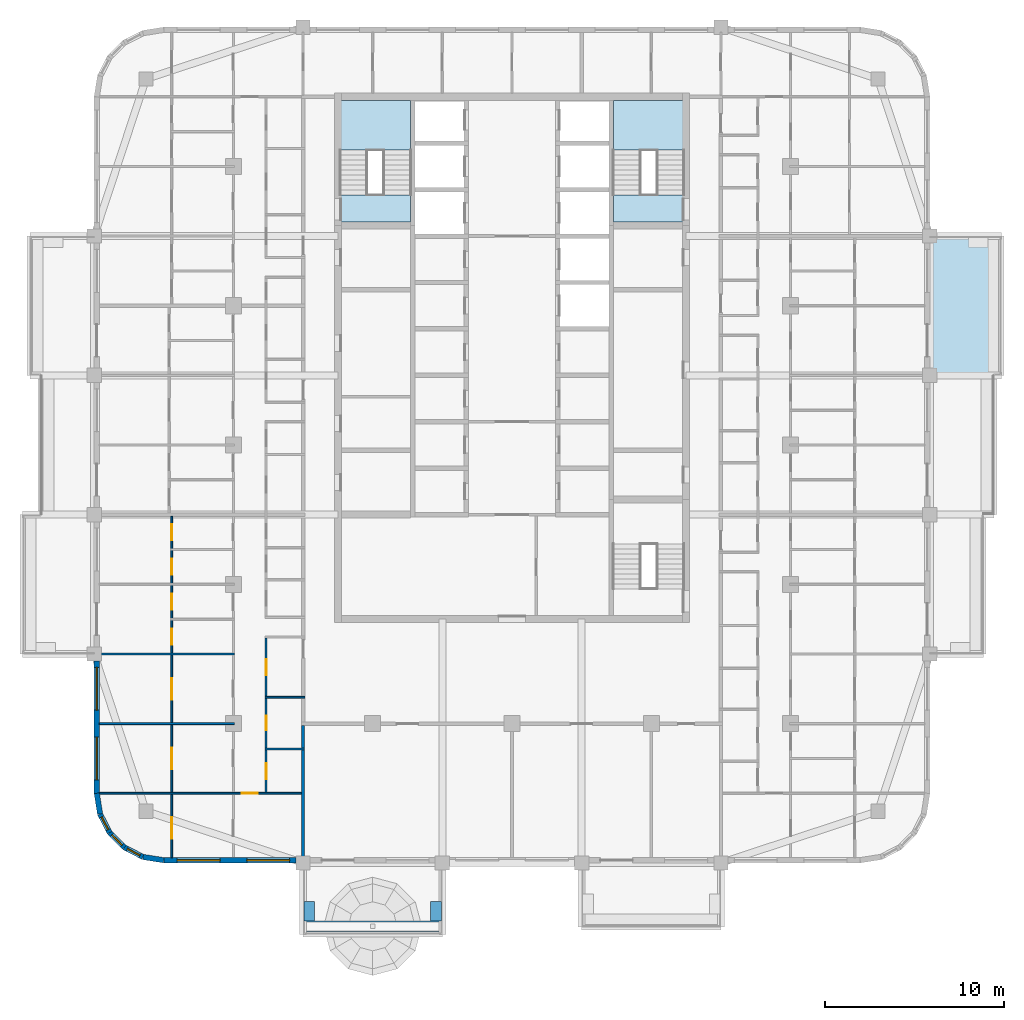
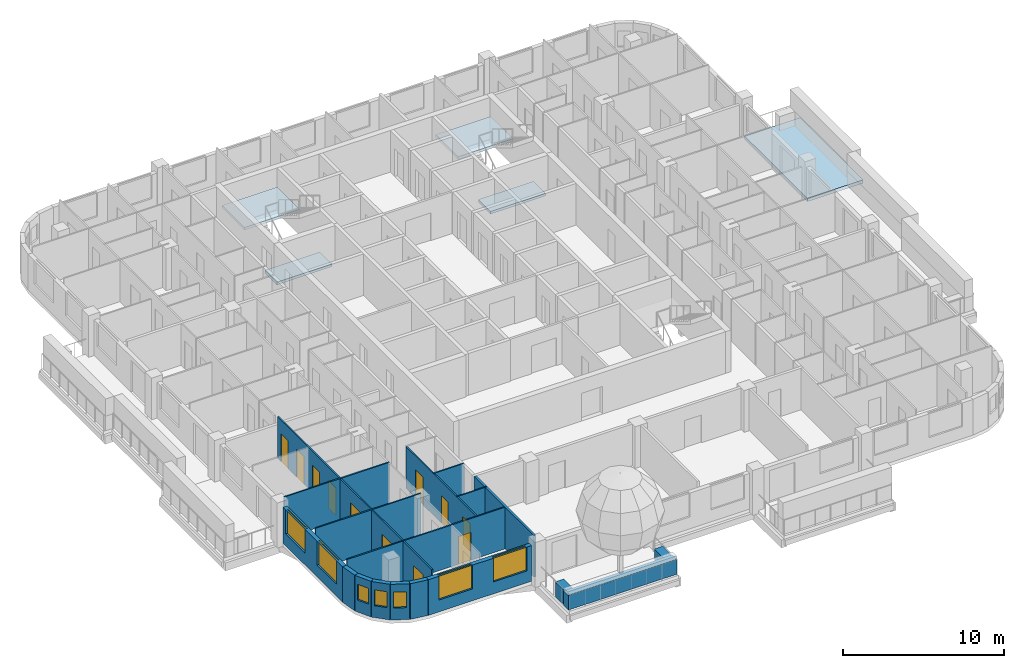
# One storey, part 2 of 17: 18 walls, 11 doors, 7 windows, 5 slabs, 18 openings, 2 elements without a shape of their own.
"""IFC4 building model written with IfcOpenShell, lengths in metres."""

from ifc_helpers import new_model, si_unit, direction, frame, frame_2d, origin, place, context, subcontext, project, spatial, polyline, rectangle, outline, extrude, material, layer, layer_set, type_object, element, fill, aggregate, save


model = new_model("IFC4")

# Units and contexts
model_context = context("Model", 3, precision=1e-05, world=origin(), true_north=direction((0.0, 1.0)))
body_context = subcontext(model_context, "Body", "Model", "MODEL_VIEW")
ifc_project = project(units=[si_unit("LENGTHUNIT", "METRE"), si_unit("AREAUNIT", "SQUARE_METRE"), si_unit("VOLUMEUNIT", "CUBIC_METRE"), si_unit("PLANEANGLEUNIT", "RADIAN"), si_unit("MASSUNIT", "GRAM", prefix="KILO")], contexts=[model_context])

# Site, building, storey
site_placement = place(None, origin())
site = spatial("IfcSite", under=ifc_project, at=site_placement, CompositionType="ELEMENT")
building_placement = place(site_placement, origin())
building = spatial("IfcBuilding", under=site, at=building_placement, Name="Ludao Terraces", CompositionType="ELEMENT")
storey_placement = place(building_placement, frame((0.0, 0.0, 231.300048828125)))
storey = spatial("IfcBuildingStorey", under=building, at=storey_placement, Name="L63", CompositionType="ELEMENT", Elevation=231.300048828125)

# Slab
ifc_material_1 = material(Name="Concrete C40", Category="concrete")
ifc_layer_1 = layer(ifc_material_1, 0.25)
ifc_layer_set_1 = layer_set([ifc_layer_1], Name="Balcony slab 250 C40")
slab_type_1 = type_object("IfcSlabType", Name="Balcony slab 250 C40", PredefinedType="USERDEFINED", material=ifc_layer_set_1)
slab_1_placement = place(storey_placement, frame((0.0, 0.0, -0.25)))
element("IfcSlab", 1, at=slab_1_placement, inside=storey, type_object=slab_type_1, Name="Balcony L63 E3", ObjectType="BALCONY", PredefinedType="USERDEFINED", context=body_context, shape_type="SweptSolid", body=[
    extrude(outline(polyline([(108.39990234375, 68.89990234375), (112.39990234375, 68.89990234375), (112.39990234375, 76.699951171875), (108.39990234375, 76.699951171875), (108.39990234375, 68.89990234375)])), origin(), (0.0, 0.0, 1.0), 0.25),
])

# Stair, slabs
stair_type = type_object("IfcStairType", Name="INT Stair", PredefinedType="HALF_TURN_STAIR", material=ifc_material_1)
stair_1_placement = place(storey_placement, origin())
stair_1 = element("IfcStair", 2, at=stair_1_placement, inside=storey, type_object=stair_type, Name="EXIT STAIR 1", PredefinedType="HALF_TURN_STAIR")
ifc_layer_2 = layer(ifc_material_1, 0.199951171875)
ifc_layer_set_2 = layer_set([ifc_layer_2], Name="INT Stair landing 200")
slab_type_2 = type_object("IfcSlabType", Name="INT Stair landing 200", PredefinedType="LANDING", material=ifc_layer_set_2)
slab_2_placement = place(storey_placement, frame((0.0, 0.0, 1.5)))
slab_2 = element("IfcSlab", 3, at=slab_2_placement, type_object=slab_type_2, Name="ST1 landing 1", PredefinedType="LANDING", context=body_context, shape_type="SweptSolid", body=[
    extrude(outline(polyline([(75.375, 81.52001953125), (79.324951171875, 81.52001953125), (79.324951171875, 84.300048828125), (75.375, 84.300048828125), (75.375, 81.52001953125)])), origin(), (0.0, 0.0, 1.0), 0.199951171875),
])
slab_3_placement = place(storey_placement, frame((0.0, 0.0, -0.199951171875)))
slab_3 = element("IfcSlab", 4, at=slab_3_placement, type_object=slab_type_2, Name="ST1 landing 2", PredefinedType="LANDING", context=body_context, shape_type="SweptSolid", body=[
    extrude(outline(polyline([(75.375, 77.5), (79.324951171875, 77.5), (79.324951171875, 79.0), (75.375, 79.0), (75.375, 77.5)])), origin(), (0.0, 0.0, 1.0), 0.199951171875),
])
aggregate(stair_1, [slab_2, slab_3])

stair_2_placement = place(storey_placement, origin())
stair_2 = element("IfcStair", 5, at=stair_2_placement, inside=storey, type_object=stair_type, Name="EXIT STAIR 2", PredefinedType="HALF_TURN_STAIR")
slab_4_placement = place(storey_placement, frame((0.0, 0.0, 1.5)))
slab_4 = element("IfcSlab", 6, at=slab_4_placement, type_object=slab_type_2, Name="ST2 landing 1", PredefinedType="LANDING", context=body_context, shape_type="SweptSolid", body=[
    extrude(outline(polyline([(90.675048828125, 81.52001953125), (94.625, 81.52001953125), (94.625, 84.300048828125), (90.675048828125, 84.300048828125), (90.675048828125, 81.52001953125)])), origin(), (0.0, 0.0, 1.0), 0.199951171875),
])
slab_5_placement = place(storey_placement, frame((0.0, 0.0, -0.199951171875)))
slab_5 = element("IfcSlab", 7, at=slab_5_placement, type_object=slab_type_2, Name="ST2 landing 2", PredefinedType="LANDING", context=body_context, shape_type="SweptSolid", body=[
    extrude(outline(polyline([(90.675048828125, 77.5), (94.625, 77.5), (94.625, 79.0), (90.675048828125, 79.0), (90.675048828125, 77.5)])), origin(), (0.0, 0.0, 1.0), 0.199951171875),
])
aggregate(stair_2, [slab_4, slab_5])

# Walls
ifc_layer_3 = layer(ifc_material_1, 0.60009765625)
ifc_layer_set_3 = layer_set([ifc_layer_3], Name="ENV Planter trough 600")
wall_type_1 = type_object("IfcWallType", Name="ENV Planter trough 600", PredefinedType="USERDEFINED", material=ifc_layer_set_3)
wall_1_placement = place(storey_placement, frame((73.300048828125, 38.050048828125, 0.0), z_axis=(0.0, 0.0, 1.0), x_axis=(1.0, 0.0, 0.0)))
element("IfcWall", 8, at=wall_1_placement, inside=storey, type_object=wall_type_1, Name="PL-L63-S1", ObjectType="PLANTER", PredefinedType="USERDEFINED", context=body_context, shape_type="SweptSolid", body=[
    extrude(rectangle(XDim=7.800048828125, YDim=0.60009765625, at=frame_2d((3.89990234375, 0.0))), origin(), (0.0, 0.0, 1.0), 1.099853515625),
])
for number, where, z_axis, x_axis, name in (
    (9, (73.64990234375, 38.35009765625, 0.0), (0.0, 0.0, 1.0), (0.0, 1.0, 0.0), "PL-L63-S1-SA"),
    (10, (80.75, 38.35009765625, 0.0), (0.0, 0.0, 1.0), (0.0, 1.0, 0.0), "PL-L63-S1-SB"),
):
    element("IfcWall", number, at=place(storey_placement, frame(where, z_axis=z_axis, x_axis=x_axis)), inside=storey, type_object=wall_type_1, Name=name, ObjectType="PLANTER", PredefinedType="USERDEFINED", context=body_context, shape_type="SweptSolid", body=[
        extrude(rectangle(XDim=1.099853515625, YDim=0.60009765625, at=frame_2d((0.5498046875, 0.0))), origin(), (0.0, 0.0, 1.0), 1.099853515625),
    ])

# Wall, openings, windows
ifc_material_2 = material(Name="Granite cladding", Category="masonry")
ifc_layer_4 = layer(ifc_material_2, 0.0400390625, Category="stone")
ifc_material_3 = material(Name="Mineral wool")
ifc_layer_5 = layer(ifc_material_3, 0.06005859375)
ifc_layer_6 = layer(ifc_material_1, 0.199951171875, Category="concrete")
ifc_layer_set_4 = layer_set([ifc_layer_4, ifc_layer_5, ifc_layer_6], Name="ENV Stone-clad wall 300")
wall_type_2 = type_object("IfcWallType", Name="ENV Stone-clad wall 300", PredefinedType="SOLIDWALL", material=ifc_layer_set_4)
wall_2_placement = place(storey_placement, frame((65.5, 41.75, 0.0), z_axis=(0.0, 0.0, 1.0), x_axis=(1.0, 0.0, 0.0)))
wall_2 = element("IfcWall", 11, at=wall_2_placement, inside=storey, type_object=wall_type_2, Name="EW-L63-S1", PredefinedType="SOLIDWALL", context=body_context, shape_type="SweptSolid", body=[
    extrude(rectangle(XDim=7.39990234375, YDim=0.300048828125, at=frame_2d((3.699951171875, 0.0))), origin(), (0.0, 0.0, 1.0), 2.699951171875),
])
opening_1_placement = place(wall_2_placement, frame((0.75, 0.0, 0.89990234375)))
opening_1 = element("IfcOpeningElement", 12, at=opening_1_placement, cuts=wall_2, Name="Opening W1", PredefinedType="OPENING", context=body_context, shape_type="SweptSolid", body=[
    extrude(rectangle(XDim=2.39990234375, YDim=1.800048828125, at=frame_2d((1.199951171875, 0.89990234375))), frame((0.0, 0.16015625, 0.0), z_axis=(0.0, -1.0, 0.0), x_axis=(1.0, 0.0, 0.0)), (0.0, 0.0, 1.0), 0.320068359375),
])
opening_2_placement = place(wall_2_placement, frame((4.64990234375, 0.0, 0.89990234375)))
opening_2 = element("IfcOpeningElement", 13, at=opening_2_placement, cuts=wall_2, Name="Opening W1", PredefinedType="OPENING", context=body_context, shape_type="SweptSolid", body=[
    extrude(rectangle(XDim=2.39990234375, YDim=1.800048828125, at=frame_2d((1.199951171875, 0.89990234375))), frame((0.0, 0.16015625, 0.0), z_axis=(0.0, -1.0, 0.0), x_axis=(1.0, 0.0, 0.0)), (0.0, 0.0, 1.0), 0.320068359375),
])
ifc_material_4 = material(Name="Clear glass in aluminium frame", Category="aluminium")
ifc_layer_7 = layer(ifc_material_4, 0.06005859375)
ifc_layer_set_5 = layer_set([ifc_layer_7], Name="ENV Window W1 2400x1800")
window_type_1 = type_object("IfcWindowType", Name="ENV Window W1 2400x1800", PartitioningType="DOUBLE_PANEL_VERTICAL", PredefinedType="WINDOW", material=ifc_layer_set_5)
window_1_placement = place(opening_1_placement, origin())
window_1 = element("IfcWindow", 14, at=window_1_placement, inside=storey, type_object=window_type_1, Name="W-L63-S1-1", OverallHeight=1.800048828125, OverallWidth=2.39990234375, PartitioningType="DOUBLE_PANEL_VERTICAL", PredefinedType="WINDOW", context=body_context, shape_type="SweptSolid", body=[
    extrude(rectangle(XDim=2.39990234375, YDim=1.800048828125, at=frame_2d((1.199951171875, 0.89990234375))), frame((0.0, 0.030029296875, 0.0), z_axis=(0.0, -1.0, 0.0), x_axis=(1.0, 0.0, 0.0)), (0.0, 0.0, 1.0), 0.06005859375),
])
fill(opening_1, window_1)
window_2_placement = place(opening_2_placement, origin())
window_2 = element("IfcWindow", 15, at=window_2_placement, inside=storey, type_object=window_type_1, Name="W-L63-S1-2", OverallHeight=1.800048828125, OverallWidth=2.39990234375, PartitioningType="DOUBLE_PANEL_VERTICAL", PredefinedType="WINDOW", context=body_context, shape_type="SweptSolid", body=[
    extrude(rectangle(XDim=2.39990234375, YDim=1.800048828125, at=frame_2d((1.199951171875, 0.89990234375))), frame((0.0, 0.030029296875, 0.0), z_axis=(0.0, -1.0, 0.0), x_axis=(1.0, 0.0, 0.0)), (0.0, 0.0, 1.0), 0.06005859375),
])
fill(opening_2, window_2)

wall_3_placement = place(storey_placement, frame((61.75, 45.5, 0.0), z_axis=(0.0, 0.0, 1.0), x_axis=(0.0, 1.0, 0.0)))
wall_3 = element("IfcWall", 16, at=wall_3_placement, inside=storey, type_object=wall_type_2, Name="EW-L63-W1", PredefinedType="SOLIDWALL", context=body_context, shape_type="SweptSolid", body=[
    extrude(rectangle(XDim=7.39990234375, YDim=0.300048828125, at=frame_2d((3.699951171875, 0.0))), origin(), (0.0, 0.0, 1.0), 2.699951171875),
])
opening_3_placement = place(wall_3_placement, frame((0.75, 0.0, 0.89990234375)))
opening_3 = element("IfcOpeningElement", 17, at=opening_3_placement, cuts=wall_3, Name="Opening W1", PredefinedType="OPENING", context=body_context, shape_type="SweptSolid", body=[
    extrude(rectangle(XDim=2.39990234375, YDim=1.800048828125, at=frame_2d((1.199951171875, 0.89990234375))), frame((0.0, 0.16015625, 0.0), z_axis=(0.0, -1.0, 0.0), x_axis=(1.0, 0.0, 0.0)), (0.0, 0.0, 1.0), 0.320068359375),
])
opening_4_placement = place(wall_3_placement, frame((4.64990234375, 0.0, 0.89990234375)))
opening_4 = element("IfcOpeningElement", 18, at=opening_4_placement, cuts=wall_3, Name="Opening W1", PredefinedType="OPENING", context=body_context, shape_type="SweptSolid", body=[
    extrude(rectangle(XDim=2.39990234375, YDim=1.800048828125, at=frame_2d((1.199951171875, 0.89990234375))), frame((0.0, 0.16015625, 0.0), z_axis=(0.0, -1.0, 0.0), x_axis=(1.0, 0.0, 0.0)), (0.0, 0.0, 1.0), 0.320068359375),
])
window_3_placement = place(opening_3_placement, origin())
window_3 = element("IfcWindow", 19, at=window_3_placement, inside=storey, type_object=window_type_1, Name="W-L63-W1-1", OverallHeight=1.800048828125, OverallWidth=2.39990234375, PartitioningType="DOUBLE_PANEL_VERTICAL", PredefinedType="WINDOW", context=body_context, shape_type="SweptSolid", body=[
    extrude(rectangle(XDim=2.39990234375, YDim=1.800048828125, at=frame_2d((1.199951171875, 0.89990234375))), frame((0.0, 0.030029296875, 0.0), z_axis=(0.0, -1.0, 0.0), x_axis=(1.0, 0.0, 0.0)), (0.0, 0.0, 1.0), 0.06005859375),
])
fill(opening_3, window_3)
window_4_placement = place(opening_4_placement, origin())
window_4 = element("IfcWindow", 20, at=window_4_placement, inside=storey, type_object=window_type_1, Name="W-L63-W1-2", OverallHeight=1.800048828125, OverallWidth=2.39990234375, PartitioningType="DOUBLE_PANEL_VERTICAL", PredefinedType="WINDOW", context=body_context, shape_type="SweptSolid", body=[
    extrude(rectangle(XDim=2.39990234375, YDim=1.800048828125, at=frame_2d((1.199951171875, 0.89990234375))), frame((0.0, 0.030029296875, 0.0), z_axis=(0.0, -1.0, 0.0), x_axis=(1.0, 0.0, 0.0)), (0.0, 0.0, 1.0), 0.06005859375),
])
fill(opening_4, window_4)

# Wall
wall_4_placement = place(storey_placement, frame((61.75, 45.5, 0.0), z_axis=(0.0, 0.0, 1.0), x_axis=(0.156496880861, -0.987678452879, 0.0)))
element("IfcWall", 21, at=wall_4_placement, inside=storey, type_object=wall_type_2, Name="EW-L63-SW1", PredefinedType="SOLIDWALL", context=body_context, shape_type="SweptSolid", body=[
    extrude(rectangle(XDim=1.173095703125, YDim=0.300048828125, at=frame_2d((0.58642578125, 0.0))), origin(), (0.0, 0.0, 1.0), 2.699951171875),
])

# Wall, opening, window
wall_5_placement = place(storey_placement, frame((61.93359375, 44.34130859375, 0.0), z_axis=(0.0, 0.0, 1.0), x_axis=(0.454025524128, -0.890988677504, 0.0)))
wall_5 = element("IfcWall", 22, at=wall_5_placement, inside=storey, type_object=wall_type_2, Name="EW-L63-SW2", PredefinedType="SOLIDWALL", context=body_context, shape_type="SweptSolid", body=[
    extrude(rectangle(XDim=1.17333984375, YDim=0.300048828125, at=frame_2d((0.586669921875, 0.0))), origin(), (0.0, 0.0, 1.0), 2.699951171875),
])
opening_5_placement = place(wall_5_placement, frame((0.1865234375, 0.0, 0.89990234375)))
opening_5 = element("IfcOpeningElement", 23, at=opening_5_placement, cuts=wall_5, Name="Opening W3", PredefinedType="OPENING", context=body_context, shape_type="SweptSolid", body=[
    extrude(rectangle(XDim=0.800048828125, YDim=1.199951171875, at=frame_2d((0.39990234375, 0.60009765625))), frame((0.0, 0.16015625, 0.0), z_axis=(0.0, -1.0, 0.0), x_axis=(1.0, 0.0, 0.0)), (0.0, 0.0, 1.0), 0.320068359375),
])
ifc_layer_8 = layer(ifc_material_4, 0.06005859375)
ifc_layer_set_6 = layer_set([ifc_layer_8], Name="ENV Window W3 800x1200")
window_type_2 = type_object("IfcWindowType", Name="ENV Window W3 800x1200", PartitioningType="SINGLE_PANEL", PredefinedType="WINDOW", material=ifc_layer_set_6)
window_5_placement = place(opening_5_placement, origin())
window_5 = element("IfcWindow", 24, at=window_5_placement, inside=storey, type_object=window_type_2, Name="W-L63-SW2", OverallHeight=1.199951171875, OverallWidth=0.800048828125, PartitioningType="SINGLE_PANEL", PredefinedType="WINDOW", context=body_context, shape_type="SweptSolid", body=[
    extrude(rectangle(XDim=0.800048828125, YDim=1.199951171875, at=frame_2d((0.39990234375, 0.60009765625))), frame((0.0, 0.030029296875, 0.0), z_axis=(0.0, -1.0, 0.0), x_axis=(1.0, 0.0, 0.0)), (0.0, 0.0, 1.0), 0.06005859375),
])
fill(opening_5, window_5)

wall_6_placement = place(storey_placement, frame((62.46630859375, 43.2958984375, 0.0), z_axis=(0.0, 0.0, 1.0), x_axis=(0.707106781187, -0.707106781187, 0.0)))
wall_6 = element("IfcWall", 25, at=wall_6_placement, inside=storey, type_object=wall_type_2, Name="EW-L63-SW3", PredefinedType="SOLIDWALL", context=body_context, shape_type="SweptSolid", body=[
    extrude(rectangle(XDim=1.173095703125, YDim=0.300048828125, at=frame_2d((0.58642578125, 0.0))), origin(), (0.0, 0.0, 1.0), 2.699951171875),
])
opening_6_placement = place(wall_6_placement, frame((0.1865234375, 0.0, 0.89990234375)))
opening_6 = element("IfcOpeningElement", 26, at=opening_6_placement, cuts=wall_6, Name="Opening W3", PredefinedType="OPENING", context=body_context, shape_type="SweptSolid", body=[
    extrude(rectangle(XDim=0.800048828125, YDim=1.199951171875, at=frame_2d((0.39990234375, 0.60009765625))), frame((0.0, 0.16015625, 0.0), z_axis=(0.0, -1.0, 0.0), x_axis=(1.0, 0.0, 0.0)), (0.0, 0.0, 1.0), 0.320068359375),
])
window_6_placement = place(opening_6_placement, origin())
window_6 = element("IfcWindow", 27, at=window_6_placement, inside=storey, type_object=window_type_2, Name="W-L63-SW3", OverallHeight=1.199951171875, OverallWidth=0.800048828125, PartitioningType="SINGLE_PANEL", PredefinedType="WINDOW", context=body_context, shape_type="SweptSolid", body=[
    extrude(rectangle(XDim=0.800048828125, YDim=1.199951171875, at=frame_2d((0.39990234375, 0.60009765625))), frame((0.0, 0.030029296875, 0.0), z_axis=(0.0, -1.0, 0.0), x_axis=(1.0, 0.0, 0.0)), (0.0, 0.0, 1.0), 0.06005859375),
])
fill(opening_6, window_6)

wall_7_placement = place(storey_placement, frame((63.2958984375, 42.46630859375, 0.0), z_axis=(0.0, 0.0, 1.0), x_axis=(0.890988677504, -0.454025524128, 0.0)))
wall_7 = element("IfcWall", 28, at=wall_7_placement, inside=storey, type_object=wall_type_2, Name="EW-L63-SW4", PredefinedType="SOLIDWALL", context=body_context, shape_type="SweptSolid", body=[
    extrude(rectangle(XDim=1.17333984375, YDim=0.300048828125, at=frame_2d((0.586669921875, 0.0))), origin(), (0.0, 0.0, 1.0), 2.699951171875),
])
opening_7_placement = place(wall_7_placement, frame((0.1865234375, 0.0, 0.89990234375)))
opening_7 = element("IfcOpeningElement", 29, at=opening_7_placement, cuts=wall_7, Name="Opening W3", PredefinedType="OPENING", context=body_context, shape_type="SweptSolid", body=[
    extrude(rectangle(XDim=0.800048828125, YDim=1.199951171875, at=frame_2d((0.39990234375, 0.60009765625))), frame((0.0, 0.16015625, 0.0), z_axis=(0.0, -1.0, 0.0), x_axis=(1.0, 0.0, 0.0)), (0.0, 0.0, 1.0), 0.320068359375),
])
window_7_placement = place(opening_7_placement, origin())
window_7 = element("IfcWindow", 30, at=window_7_placement, inside=storey, type_object=window_type_2, Name="W-L63-SW4", OverallHeight=1.199951171875, OverallWidth=0.800048828125, PartitioningType="SINGLE_PANEL", PredefinedType="WINDOW", context=body_context, shape_type="SweptSolid", body=[
    extrude(rectangle(XDim=0.800048828125, YDim=1.199951171875, at=frame_2d((0.39990234375, 0.60009765625))), frame((0.0, 0.030029296875, 0.0), z_axis=(0.0, -1.0, 0.0), x_axis=(1.0, 0.0, 0.0)), (0.0, 0.0, 1.0), 0.06005859375),
])
fill(opening_7, window_7)

# Wall
wall_8_placement = place(storey_placement, frame((64.34130859375, 41.93359375, 0.0), z_axis=(0.0, 0.0, 1.0), x_axis=(0.987678452879, -0.156496880861, 0.0)))
element("IfcWall", 31, at=wall_8_placement, inside=storey, type_object=wall_type_2, Name="EW-L63-SW5", PredefinedType="SOLIDWALL", context=body_context, shape_type="SweptSolid", body=[
    extrude(rectangle(XDim=1.173095703125, YDim=0.300048828125, at=frame_2d((0.58642578125, 0.0))), origin(), (0.0, 0.0, 1.0), 2.699951171875),
])

# Wall, opening, door
ifc_material_5 = material(Name="Gypsum plasterboard", Category="gypsum")
ifc_layer_9 = layer(ifc_material_5, 0.012451171875, Category="gypsum")
ifc_layer_10 = layer(ifc_material_3, 0.06005859375, Name="insulation")
ifc_material_6 = material(Name="Steel Q235", Category="steel")
ifc_layer_11 = layer(ifc_material_6, 0.014892578125, Name="stud")
ifc_layer_12 = layer(ifc_material_5, 0.012451171875, Category="gypsum")
ifc_layer_set_7 = layer_set([ifc_layer_9, ifc_layer_10, ifc_layer_11, ifc_layer_12], Name="INT Partition 100")
wall_type_3 = type_object("IfcWallType", Name="INT Partition 100", PredefinedType="PARTITIONING", material=ifc_layer_set_7)
wall_9_placement = place(storey_placement, frame((61.900146484375, 45.5, 0.0), z_axis=(0.0, 0.0, 1.0), x_axis=(1.0, 0.0, 0.0)))
wall_9 = element("IfcWall", 32, at=wall_9_placement, inside=storey, type_object=wall_type_3, Name="PW-L63-PW000", PredefinedType="PARTITIONING", context=body_context, shape_type="SweptSolid", body=[
    extrude(rectangle(XDim=11.474853515625, YDim=0.10009765625, at=frame_2d((5.7373046875, 0.0))), origin(), (0.0, 0.0, 1.0), 3.14990234375),
])
opening_8_placement = place(wall_9_placement, frame((7.965087890625, 0.0, 0.0)))
opening_8 = element("IfcOpeningElement", 33, at=opening_8_placement, cuts=wall_9, Name="Opening R22-005", PredefinedType="OPENING", context=body_context, shape_type="SweptSolid", body=[
    extrude(rectangle(XDim=0.89990234375, YDim=2.10009765625, at=frame_2d((0.449951171875, 1.050048828125))), frame((0.0, 0.06005859375, 0.0), z_axis=(0.0, -1.0, 0.0), x_axis=(1.0, 0.0, 0.0)), (0.0, 0.0, 1.0), 0.1201171875),
])
ifc_material_7 = material(Name="Timber door leaf", Category="wood")
door_type_1 = type_object("IfcDoorType", Name="INT Room door 900", OperationType="SINGLE_SWING_LEFT", PredefinedType="DOOR", material=ifc_material_7)
door_1_placement = place(opening_8_placement, origin())
door_1 = element("IfcDoor", 34, at=door_1_placement, inside=storey, type_object=door_type_1, Name="DOOR 005", OperationType="SINGLE_SWING_RIGHT", OverallHeight=2.10009765625, OverallWidth=0.89990234375, PredefinedType="DOOR", context=body_context, shape_type="SweptSolid", body=[
    extrude(rectangle(XDim=0.89990234375, YDim=2.10009765625, at=frame_2d((0.449951171875, 1.050048828125))), frame((0.0, 0.02490234375, 0.0), z_axis=(0.0, -1.0, 0.0), x_axis=(1.0, 0.0, 0.0)), (0.0, 0.0, 1.0), 0.050048828125),
])
fill(opening_8, door_1)

# Walls
wall_10_placement = place(storey_placement, frame((71.18017578125, 47.97998046875, 0.0), z_axis=(0.0, 0.0, 1.0), x_axis=(1.0, 0.0, 0.0)))
element("IfcWall", 35, at=wall_10_placement, inside=storey, type_object=wall_type_3, Name="PW-L63-PW004", PredefinedType="PARTITIONING", context=body_context, shape_type="SweptSolid", body=[
    extrude(rectangle(XDim=2.19482421875, YDim=0.10009765625, at=frame_2d((1.097412109375, 0.0))), origin(), (0.0, 0.0, 1.0), 3.14990234375),
])
wall_11_placement = place(storey_placement, frame((61.900146484375, 49.39990234375, 0.0), z_axis=(0.0, 0.0, 1.0), x_axis=(1.0, 0.0, 0.0)))
element("IfcWall", 36, at=wall_11_placement, inside=storey, type_object=wall_type_3, Name="PW-L63-PW005", PredefinedType="PARTITIONING", context=body_context, shape_type="SweptSolid", body=[
    extrude(rectangle(XDim=7.550048828125, YDim=0.10009765625, at=frame_2d((3.77490234375, 0.0))), origin(), (0.0, 0.0, 1.0), 3.14990234375),
])
wall_12_placement = place(storey_placement, frame((71.18017578125, 50.8798828125, 0.0), z_axis=(0.0, 0.0, 1.0), x_axis=(1.0, 0.0, 0.0)))
element("IfcWall", 37, at=wall_12_placement, inside=storey, type_object=wall_type_3, Name="PW-L63-PW009", PredefinedType="PARTITIONING", context=body_context, shape_type="SweptSolid", body=[
    extrude(rectangle(XDim=2.219970703125, YDim=0.10009765625, at=frame_2d((1.10986328125, 0.0))), origin(), (0.0, 0.0, 1.0), 3.14990234375),
])
wall_13_placement = place(storey_placement, frame((61.900146484375, 53.300048828125, 0.0), z_axis=(0.0, 0.0, 1.0), x_axis=(1.0, 0.0, 0.0)))
element("IfcWall", 38, at=wall_13_placement, inside=storey, type_object=wall_type_3, Name="PW-L63-PW011", PredefinedType="PARTITIONING", context=body_context, shape_type="SweptSolid", body=[
    extrude(rectangle(XDim=7.550048828125, YDim=0.10009765625, at=frame_2d((3.77490234375, 0.0))), origin(), (0.0, 0.0, 1.0), 3.14990234375),
])

# Wall, openings, doors
wall_14_placement = place(storey_placement, frame((65.949951171875, 41.900146484375, 0.0), z_axis=(0.0, 0.0, 1.0), x_axis=(0.0, 1.0, 0.0)))
wall_14 = element("IfcWall", 39, at=wall_14_placement, inside=storey, type_object=wall_type_3, Name="PW-L63-PW070", PredefinedType="PARTITIONING", context=body_context, shape_type="SweptSolid", body=[
    extrude(rectangle(XDim=19.099853515625, YDim=0.10009765625, at=frame_2d((9.5498046875, 0.0))), origin(), (0.0, 0.0, 1.0), 3.14990234375),
])
opening_9_placement = place(wall_14_placement, frame((1.050048828125, 0.0, 0.0)))
opening_9 = element("IfcOpeningElement", 40, at=opening_9_placement, cuts=wall_14, Name="Opening R22-001", PredefinedType="OPENING", context=body_context, shape_type="SweptSolid", body=[
    extrude(rectangle(XDim=1.199951171875, YDim=2.10009765625, at=frame_2d((0.60009765625, 1.050048828125))), frame((0.0, 0.06005859375, 0.0), z_axis=(0.0, -1.0, 0.0), x_axis=(1.0, 0.0, 0.0)), (0.0, 0.0, 1.0), 0.1201171875),
])
opening_10_placement = place(wall_14_placement, frame((4.949951171875, 0.0, 0.0)))
opening_10 = element("IfcOpeningElement", 41, at=opening_10_placement, cuts=wall_14, Name="Opening R22-010", PredefinedType="OPENING", context=body_context, shape_type="SweptSolid", body=[
    extrude(rectangle(XDim=1.199951171875, YDim=2.10009765625, at=frame_2d((0.60009765625, 1.050048828125))), frame((0.0, 0.06005859375, 0.0), z_axis=(0.0, -1.0, 0.0), x_axis=(1.0, 0.0, 0.0)), (0.0, 0.0, 1.0), 0.1201171875),
])
opening_11_placement = place(wall_14_placement, frame((8.85009765625, 0.0, 0.0)))
opening_11 = element("IfcOpeningElement", 42, at=opening_11_placement, cuts=wall_14, Name="Opening R22-019", PredefinedType="OPENING", context=body_context, shape_type="SweptSolid", body=[
    extrude(rectangle(XDim=1.199951171875, YDim=2.10009765625, at=frame_2d((0.60009765625, 1.050048828125))), frame((0.0, 0.06005859375, 0.0), z_axis=(0.0, -1.0, 0.0), x_axis=(1.0, 0.0, 0.0)), (0.0, 0.0, 1.0), 0.1201171875),
])
opening_12_placement = place(wall_14_placement, frame((11.925048828125, 0.0, 0.0)))
opening_12 = element("IfcOpeningElement", 43, at=opening_12_placement, cuts=wall_14, Name="Opening R22-027", PredefinedType="OPENING", context=body_context, shape_type="SweptSolid", body=[
    extrude(rectangle(XDim=0.89990234375, YDim=2.10009765625, at=frame_2d((0.449951171875, 1.050048828125))), frame((0.0, 0.06005859375, 0.0), z_axis=(0.0, -1.0, 0.0), x_axis=(1.0, 0.0, 0.0)), (0.0, 0.0, 1.0), 0.1201171875),
])
opening_13_placement = place(wall_14_placement, frame((13.875, 0.0, 0.0)))
opening_13 = element("IfcOpeningElement", 44, at=opening_13_placement, cuts=wall_14, Name="Opening R22-032", PredefinedType="OPENING", context=body_context, shape_type="SweptSolid", body=[
    extrude(rectangle(XDim=0.89990234375, YDim=2.10009765625, at=frame_2d((0.449951171875, 1.050048828125))), frame((0.0, 0.06005859375, 0.0), z_axis=(0.0, -1.0, 0.0), x_axis=(1.0, 0.0, 0.0)), (0.0, 0.0, 1.0), 0.1201171875),
])
opening_14_placement = place(wall_14_placement, frame((15.824951171875, 0.0, 0.0)))
opening_14 = element("IfcOpeningElement", 45, at=opening_14_placement, cuts=wall_14, Name="Opening R22-037", PredefinedType="OPENING", context=body_context, shape_type="SweptSolid", body=[
    extrude(rectangle(XDim=0.89990234375, YDim=2.10009765625, at=frame_2d((0.449951171875, 1.050048828125))), frame((0.0, 0.06005859375, 0.0), z_axis=(0.0, -1.0, 0.0), x_axis=(1.0, 0.0, 0.0)), (0.0, 0.0, 1.0), 0.1201171875),
])
opening_15_placement = place(wall_14_placement, frame((17.77490234375, 0.0, 0.0)))
opening_15 = element("IfcOpeningElement", 46, at=opening_15_placement, cuts=wall_14, Name="Opening R22-042", PredefinedType="OPENING", context=body_context, shape_type="SweptSolid", body=[
    extrude(rectangle(XDim=0.89990234375, YDim=2.10009765625, at=frame_2d((0.449951171875, 1.050048828125))), frame((0.0, 0.06005859375, 0.0), z_axis=(0.0, -1.0, 0.0), x_axis=(1.0, 0.0, 0.0)), (0.0, 0.0, 1.0), 0.1201171875),
])
door_type_2 = type_object("IfcDoorType", Name="INT Bathroom door 900", OperationType="SINGLE_SWING_LEFT", PredefinedType="DOOR", material=ifc_material_7)
door_2_placement = place(opening_12_placement, origin())
door_2 = element("IfcDoor", 47, at=door_2_placement, inside=storey, type_object=door_type_2, Name="DOOR 027", OperationType="SINGLE_SWING_RIGHT", OverallHeight=2.10009765625, OverallWidth=0.89990234375, PredefinedType="DOOR", context=body_context, shape_type="SweptSolid", body=[
    extrude(rectangle(XDim=0.89990234375, YDim=2.10009765625, at=frame_2d((0.449951171875, 1.050048828125))), frame((0.0, 0.02490234375, 0.0), z_axis=(0.0, -1.0, 0.0), x_axis=(1.0, 0.0, 0.0)), (0.0, 0.0, 1.0), 0.050048828125),
])
fill(opening_12, door_2)
door_3_placement = place(opening_14_placement, origin())
door_3 = element("IfcDoor", 48, at=door_3_placement, inside=storey, type_object=door_type_2, Name="DOOR 037", OperationType="SINGLE_SWING_LEFT", OverallHeight=2.10009765625, OverallWidth=0.89990234375, PredefinedType="DOOR", context=body_context, shape_type="SweptSolid", body=[
    extrude(rectangle(XDim=0.89990234375, YDim=2.10009765625, at=frame_2d((0.449951171875, 1.050048828125))), frame((0.0, 0.02490234375, 0.0), z_axis=(0.0, -1.0, 0.0), x_axis=(1.0, 0.0, 0.0)), (0.0, 0.0, 1.0), 0.050048828125),
])
fill(opening_14, door_3)
door_type_3 = type_object("IfcDoorType", Name="INT Double door 1200", OperationType="DOUBLE_DOOR_SINGLE_SWING", PredefinedType="DOOR", material=ifc_material_7)
door_4_placement = place(opening_9_placement, origin())
door_4 = element("IfcDoor", 49, at=door_4_placement, inside=storey, type_object=door_type_3, Name="DOOR 001", OperationType="DOUBLE_DOOR_SINGLE_SWING", OverallHeight=2.10009765625, OverallWidth=1.199951171875, PredefinedType="DOOR", context=body_context, shape_type="SweptSolid", body=[
    extrude(rectangle(XDim=1.199951171875, YDim=2.10009765625, at=frame_2d((0.60009765625, 1.050048828125))), frame((0.0, 0.02490234375, 0.0), z_axis=(0.0, -1.0, 0.0), x_axis=(1.0, 0.0, 0.0)), (0.0, 0.0, 1.0), 0.050048828125),
])
fill(opening_9, door_4)
door_5_placement = place(opening_10_placement, origin())
door_5 = element("IfcDoor", 50, at=door_5_placement, inside=storey, type_object=door_type_3, Name="DOOR 010", OperationType="DOUBLE_DOOR_SINGLE_SWING", OverallHeight=2.10009765625, OverallWidth=1.199951171875, PredefinedType="DOOR", context=body_context, shape_type="SweptSolid", body=[
    extrude(rectangle(XDim=1.199951171875, YDim=2.10009765625, at=frame_2d((0.60009765625, 1.050048828125))), frame((0.0, 0.02490234375, 0.0), z_axis=(0.0, -1.0, 0.0), x_axis=(1.0, 0.0, 0.0)), (0.0, 0.0, 1.0), 0.050048828125),
])
fill(opening_10, door_5)
door_6_placement = place(opening_11_placement, origin())
door_6 = element("IfcDoor", 51, at=door_6_placement, inside=storey, type_object=door_type_3, Name="DOOR 019", OperationType="DOUBLE_DOOR_SINGLE_SWING", OverallHeight=2.10009765625, OverallWidth=1.199951171875, PredefinedType="DOOR", context=body_context, shape_type="SweptSolid", body=[
    extrude(rectangle(XDim=1.199951171875, YDim=2.10009765625, at=frame_2d((0.60009765625, 1.050048828125))), frame((0.0, 0.02490234375, 0.0), z_axis=(0.0, -1.0, 0.0), x_axis=(1.0, 0.0, 0.0)), (0.0, 0.0, 1.0), 0.050048828125),
])
fill(opening_11, door_6)
door_7_placement = place(opening_13_placement, origin())
door_7 = element("IfcDoor", 52, at=door_7_placement, inside=storey, type_object=door_type_1, Name="DOOR 032", OperationType="SINGLE_SWING_RIGHT", OverallHeight=2.10009765625, OverallWidth=0.89990234375, PredefinedType="DOOR", context=body_context, shape_type="SweptSolid", body=[
    extrude(rectangle(XDim=0.89990234375, YDim=2.10009765625, at=frame_2d((0.449951171875, 1.050048828125))), frame((0.0, 0.02490234375, 0.0), z_axis=(0.0, -1.0, 0.0), x_axis=(1.0, 0.0, 0.0)), (0.0, 0.0, 1.0), 0.050048828125),
])
fill(opening_13, door_7)
door_8_placement = place(opening_15_placement, origin())
door_8 = element("IfcDoor", 53, at=door_8_placement, inside=storey, type_object=door_type_1, Name="DOOR 042", OperationType="SINGLE_SWING_LEFT", OverallHeight=2.10009765625, OverallWidth=0.89990234375, PredefinedType="DOOR", context=body_context, shape_type="SweptSolid", body=[
    extrude(rectangle(XDim=0.89990234375, YDim=2.10009765625, at=frame_2d((0.449951171875, 1.050048828125))), frame((0.0, 0.02490234375, 0.0), z_axis=(0.0, -1.0, 0.0), x_axis=(1.0, 0.0, 0.0)), (0.0, 0.0, 1.0), 0.050048828125),
])
fill(opening_15, door_8)

wall_15_placement = place(storey_placement, frame((71.22998046875, 45.550048828125, 0.0), z_axis=(0.0, 0.0, 1.0), x_axis=(0.0, 1.0, 0.0)))
wall_15 = element("IfcWall", 54, at=wall_15_placement, inside=storey, type_object=wall_type_3, Name="PW-L63-PW073", PredefinedType="PARTITIONING", context=body_context, shape_type="SweptSolid", body=[
    extrude(rectangle(XDim=8.650146484375, YDim=0.10009765625, at=frame_2d((4.3251953125, 0.0))), origin(), (0.0, 0.0, 1.0), 3.14990234375),
])
opening_16_placement = place(wall_15_placement, frame((0.739990234375, 0.0, 0.0)))
opening_16 = element("IfcOpeningElement", 55, at=opening_16_placement, cuts=wall_15, Name="Opening R22-009", PredefinedType="OPENING", context=body_context, shape_type="SweptSolid", body=[
    extrude(rectangle(XDim=0.89990234375, YDim=2.10009765625, at=frame_2d((0.449951171875, 1.050048828125))), frame((0.0, 0.06005859375, 0.0), z_axis=(0.0, -1.0, 0.0), x_axis=(1.0, 0.0, 0.0)), (0.0, 0.0, 1.0), 0.1201171875),
])
opening_17_placement = place(wall_15_placement, frame((3.47998046875, 0.0, 0.0)))
opening_17 = element("IfcOpeningElement", 56, at=opening_17_placement, cuts=wall_15, Name="Opening R22-018", PredefinedType="OPENING", context=body_context, shape_type="SweptSolid", body=[
    extrude(rectangle(XDim=0.800048828125, YDim=2.10009765625, at=frame_2d((0.39990234375, 1.050048828125))), frame((0.0, 0.06005859375, 0.0), z_axis=(0.0, -1.0, 0.0), x_axis=(1.0, 0.0, 0.0)), (0.0, 0.0, 1.0), 0.1201171875),
])
opening_18_placement = place(wall_15_placement, frame((6.56494140625, 0.0, 0.0)))
opening_18 = element("IfcOpeningElement", 57, at=opening_18_placement, cuts=wall_15, Name="Opening R22-024", PredefinedType="OPENING", context=body_context, shape_type="SweptSolid", body=[
    extrude(rectangle(XDim=0.89990234375, YDim=2.10009765625, at=frame_2d((0.449951171875, 1.050048828125))), frame((0.0, 0.06005859375, 0.0), z_axis=(0.0, -1.0, 0.0), x_axis=(1.0, 0.0, 0.0)), (0.0, 0.0, 1.0), 0.1201171875),
])
door_9_placement = place(opening_16_placement, origin())
door_9 = element("IfcDoor", 58, at=door_9_placement, inside=storey, type_object=door_type_2, Name="DOOR 009", OperationType="SINGLE_SWING_RIGHT", OverallHeight=2.10009765625, OverallWidth=0.89990234375, PredefinedType="DOOR", context=body_context, shape_type="SweptSolid", body=[
    extrude(rectangle(XDim=0.89990234375, YDim=2.10009765625, at=frame_2d((0.449951171875, 1.050048828125))), frame((0.0, 0.02490234375, 0.0), z_axis=(0.0, -1.0, 0.0), x_axis=(1.0, 0.0, 0.0)), (0.0, 0.0, 1.0), 0.050048828125),
])
fill(opening_16, door_9)
door_10_placement = place(opening_18_placement, origin())
door_10 = element("IfcDoor", 59, at=door_10_placement, inside=storey, type_object=door_type_1, Name="DOOR 024", OperationType="SINGLE_SWING_RIGHT", OverallHeight=2.10009765625, OverallWidth=0.89990234375, PredefinedType="DOOR", context=body_context, shape_type="SweptSolid", body=[
    extrude(rectangle(XDim=0.89990234375, YDim=2.10009765625, at=frame_2d((0.449951171875, 1.050048828125))), frame((0.0, 0.02490234375, 0.0), z_axis=(0.0, -1.0, 0.0), x_axis=(1.0, 0.0, 0.0)), (0.0, 0.0, 1.0), 0.050048828125),
])
fill(opening_18, door_10)
door_type_4 = type_object("IfcDoorType", Name="INT Store door 800", OperationType="SINGLE_SWING_LEFT", PredefinedType="DOOR", material=ifc_material_7)
door_11_placement = place(opening_17_placement, origin())
door_11 = element("IfcDoor", 60, at=door_11_placement, inside=storey, type_object=door_type_4, Name="DOOR 018", OperationType="SINGLE_SWING_LEFT", OverallHeight=2.10009765625, OverallWidth=0.800048828125, PredefinedType="DOOR", context=body_context, shape_type="SweptSolid", body=[
    extrude(rectangle(XDim=0.800048828125, YDim=2.10009765625, at=frame_2d((0.39990234375, 1.050048828125))), frame((0.0, 0.02490234375, 0.0), z_axis=(0.0, -1.0, 0.0), x_axis=(1.0, 0.0, 0.0)), (0.0, 0.0, 1.0), 0.050048828125),
])
fill(opening_17, door_11)

# Wall
ifc_material_8 = material(Name="Autoclaved aerated concrete block B06 A3.5", Category="concrete")
ifc_layer_13 = layer(ifc_material_8, 0.14990234375)
ifc_layer_set_8 = layer_set([ifc_layer_13], Name="INT Party wall 150")
wall_type_4 = type_object("IfcWallType", Name="INT Party wall 150", PredefinedType="PARTITIONING", material=ifc_layer_set_8)
wall_16_placement = place(storey_placement, frame((73.300048828125, 41.900146484375, 0.0), z_axis=(0.0, 0.0, 1.0), x_axis=(0.0, 1.0, 0.0)))
element("IfcWall", 61, at=wall_16_placement, inside=storey, type_object=wall_type_4, Name="PW-L63-PW077", PredefinedType="PARTITIONING", context=body_context, shape_type="SweptSolid", body=[
    extrude(rectangle(XDim=7.39990234375, YDim=0.14990234375, at=frame_2d((3.699951171875, 0.0))), origin(), (0.0, 0.0, 1.0), 3.14990234375),
])

save(model, "model.ifc")
